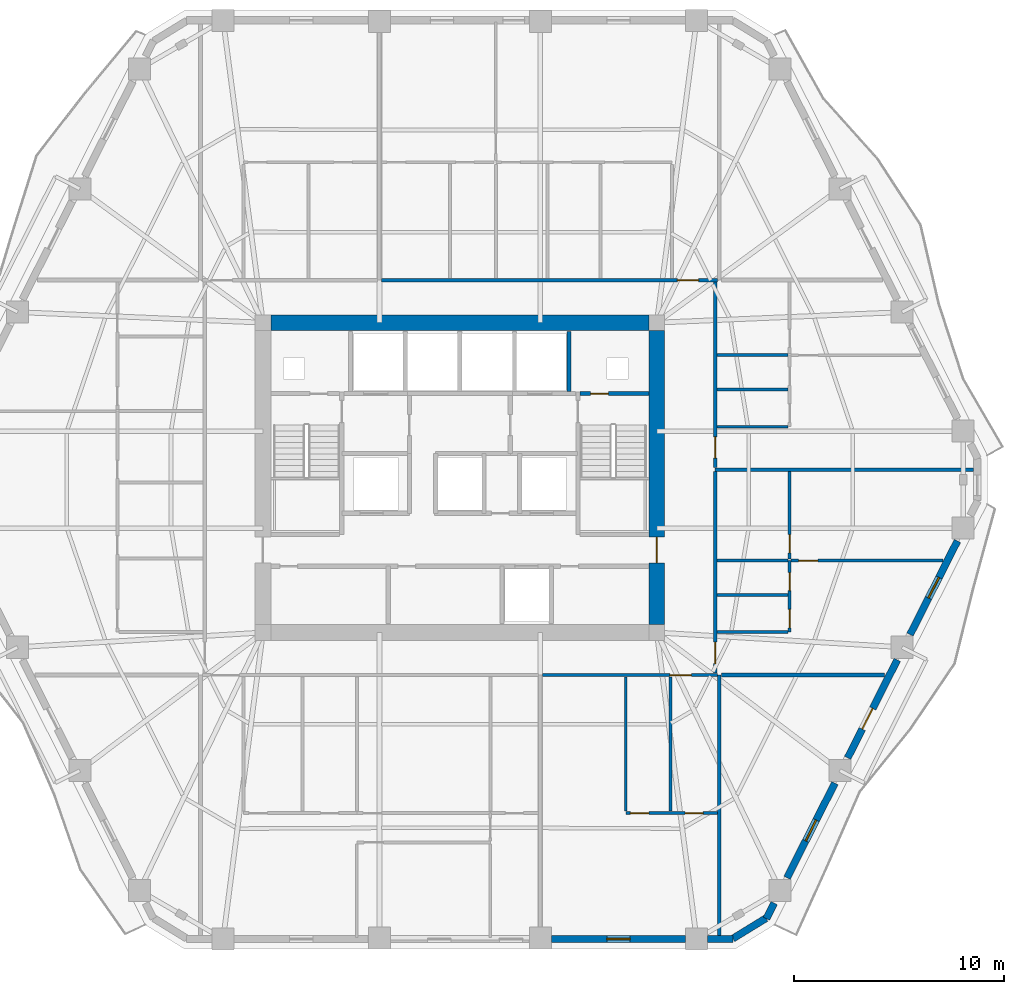
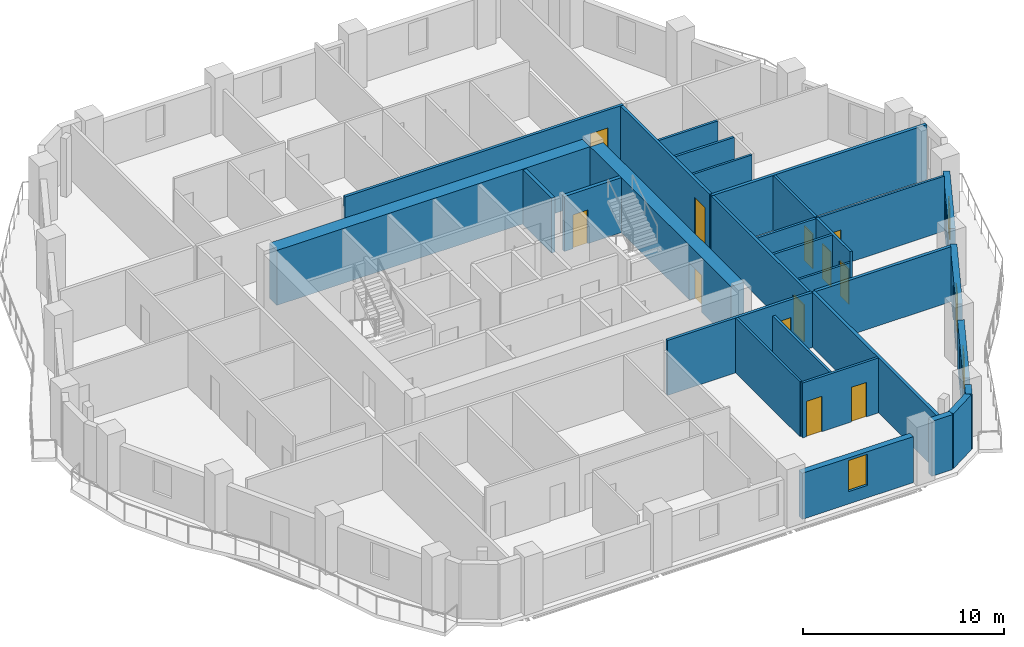
# One storey, part 6 of 11: 30 walls, 13 doors, 3 windows, 16 openings.
"""IFC4 building model written with IfcOpenShell, lengths in metres."""

from ifc_helpers import new_model, si_unit, direction, frame, frame_2d, origin, place, context, subcontext, project, spatial, rectangle, extrude, material, layer, layer_set, type_object, element, fill, save


model = new_model("IFC4")

# Units and contexts
model_context = context("Model", 3, precision=1e-05, world=origin(), true_north=direction((0.0, 1.0)))
body_context = subcontext(model_context, "Body", "Model", "MODEL_VIEW")
ifc_project = project(units=[si_unit("LENGTHUNIT", "METRE"), si_unit("AREAUNIT", "SQUARE_METRE"), si_unit("VOLUMEUNIT", "CUBIC_METRE"), si_unit("PLANEANGLEUNIT", "RADIAN"), si_unit("MASSUNIT", "GRAM", prefix="KILO")], contexts=[model_context])

# Site, building, storey
site_placement = place(None, origin())
site = spatial("IfcSite", under=ifc_project, at=site_placement, CompositionType="ELEMENT")
building_placement = place(site_placement, origin())
building = spatial("IfcBuilding", under=site, at=building_placement, Name="Cinnabar Lancet Tower", CompositionType="ELEMENT")
storey_placement = place(building_placement, frame((0.0, 0.0, 105.5)))
storey = spatial("IfcBuildingStorey", under=building, at=storey_placement, Name="L27", CompositionType="ELEMENT", Elevation=105.5)

# Wall, opening, door
ifc_material_1 = material(Name="Acoustic twin-stud gypsum partition", Category="gypsum")
ifc_layer_1 = layer(ifc_material_1, 0.159912109375)
ifc_layer_set_1 = layer_set([ifc_layer_1], Name="Acoustic twin-stud gypsum partition")
wall_type_1 = type_object("IfcWallType", Name="ARC-WL-CORR-160", PredefinedType="PARTITIONING", material=ifc_layer_set_1)
wall_1_placement = place(storey_placement, frame((36.326904296875, 16.5, 0.0), z_axis=(0.0, 0.0, 1.0), x_axis=(1.0, 0.0, 0.0)))
wall_1 = element("IfcWall", 1, at=wall_1_placement, inside=storey, type_object=wall_type_1, Name="L27 Unit S02 Corridor Wall", PredefinedType="PARTITIONING", context=body_context, shape_type="SweptSolid", body=[
    extrude(rectangle(XDim=8.328125, YDim=0.159912109375, at=frame_2d((4.1640625, 0.0))), origin(), (0.0, 0.0, 1.0), 3.340087890625),
])
opening_1_placement = place(wall_1_placement, frame((6.072998046875, 0.0, 0.0)))
opening_1 = element("IfcOpeningElement", 2, at=opening_1_placement, cuts=wall_1, Name="Opening UD-01", PredefinedType="OPENING", context=body_context, shape_type="SweptSolid", body=[
    extrude(rectangle(XDim=1.02001953125, YDim=2.25, at=frame_2d((0.510009765625, 1.125))), frame((0.0, 0.08984375, 0.0), z_axis=(0.0, -1.0, 0.0), x_axis=(1.0, 0.0, 0.0)), (0.0, 0.0, 1.0), 0.179931640625),
])
ifc_material_2 = material(Name="Solid timber fire-rated apartment entrance door", Category="wood")
door_type_1 = type_object("IfcDoorType", Name="ARC-DR-UNIT", OperationType="NOTDEFINED", PredefinedType="DOOR", material=ifc_material_2)
door_1_placement = place(opening_1_placement, origin())
door_1 = element("IfcDoor", 3, at=door_1_placement, inside=storey, type_object=door_type_1, Name="DR-L27-S02-ENT", OperationType="SINGLE_SWING_RIGHT", OverallHeight=2.25, OverallWidth=1.02001953125, PredefinedType="DOOR", context=body_context, shape_type="SweptSolid", body=[
    extrude(rectangle(XDim=1.02001953125, YDim=2.25, at=frame_2d((0.510009765625, 1.125))), frame((0.0, 0.02490234375, 0.0), z_axis=(0.0, -1.0, 0.0), x_axis=(1.0, 0.0, 0.0)), (0.0, 0.0, 1.0), 0.050048828125),
])
fill(opening_1, door_1)

wall_2_placement = place(storey_placement, frame((28.6630859375, 35.300048828125, 0.0), z_axis=(0.0, 0.0, 1.0), x_axis=(1.0, 0.0, 0.0)))
wall_2 = element("IfcWall", 4, at=wall_2_placement, inside=storey, type_object=wall_type_1, Name="L27 Unit N02 Corridor Wall", PredefinedType="PARTITIONING", context=body_context, shape_type="SweptSolid", body=[
    extrude(rectangle(XDim=15.991943359375, YDim=0.159912109375, at=frame_2d((7.99609375, 0.0))), origin(), (0.0, 0.0, 1.0), 3.340087890625),
])
opening_2_placement = place(wall_2_placement, frame((14.0869140625, 0.0, 0.0)))
opening_2 = element("IfcOpeningElement", 5, at=opening_2_placement, cuts=wall_2, Name="Opening UD-01", PredefinedType="OPENING", context=body_context, shape_type="SweptSolid", body=[
    extrude(rectangle(XDim=1.02001953125, YDim=2.25, at=frame_2d((0.510009765625, 1.125))), frame((0.0, 0.08984375, 0.0), z_axis=(0.0, -1.0, 0.0), x_axis=(1.0, 0.0, 0.0)), (0.0, 0.0, 1.0), 0.179931640625),
])
door_2_placement = place(opening_2_placement, origin())
door_2 = element("IfcDoor", 6, at=door_2_placement, inside=storey, type_object=door_type_1, Name="DR-L27-N02-ENT", OperationType="SINGLE_SWING_LEFT", OverallHeight=2.25, OverallWidth=1.02001953125, PredefinedType="DOOR", context=body_context, shape_type="SweptSolid", body=[
    extrude(rectangle(XDim=1.02001953125, YDim=2.25, at=frame_2d((0.510009765625, 1.125))), frame((0.0, 0.02490234375, 0.0), z_axis=(0.0, -1.0, 0.0), x_axis=(1.0, 0.0, 0.0)), (0.0, 0.0, 1.0), 0.050048828125),
])
fill(opening_2, door_2)

wall_3_placement = place(storey_placement, frame((44.550048828125, 16.594970703125, 0.0), z_axis=(0.0, 0.0, 1.0), x_axis=(0.0, 1.0, 0.0)))
wall_3 = element("IfcWall", 7, at=wall_3_placement, inside=storey, type_object=wall_type_1, Name="UW-L27-E01-COR", PredefinedType="PARTITIONING", context=body_context, shape_type="SweptSolid", body=[
    extrude(rectangle(XDim=9.5859375, YDim=0.159912109375, at=frame_2d((4.79296875, 0.0))), origin(), (0.0, 0.0, 1.0), 3.340087890625),
])
opening_3_placement = place(wall_3_placement, frame((0.449951171875, 0.0, 0.0)))
opening_3 = element("IfcOpeningElement", 8, at=opening_3_placement, cuts=wall_3, Name="Opening UD-01", PredefinedType="OPENING", context=body_context, shape_type="SweptSolid", body=[
    extrude(rectangle(XDim=1.02001953125, YDim=2.25, at=frame_2d((0.510009765625, 1.125))), frame((0.0, 0.08984375, 0.0), z_axis=(0.0, -1.0, 0.0), x_axis=(1.0, 0.0, 0.0)), (0.0, 0.0, 1.0), 0.179931640625),
])
door_3_placement = place(opening_3_placement, origin())
door_3 = element("IfcDoor", 9, at=door_3_placement, inside=storey, type_object=door_type_1, Name="DR-L27-E01-ENT", OperationType="SINGLE_SWING_RIGHT", OverallHeight=2.25, OverallWidth=1.02001953125, PredefinedType="DOOR", context=body_context, shape_type="SweptSolid", body=[
    extrude(rectangle(XDim=1.02001953125, YDim=2.25, at=frame_2d((0.510009765625, 1.125))), frame((0.0, 0.02490234375, 0.0), z_axis=(0.0, -1.0, 0.0), x_axis=(1.0, 0.0, 0.0)), (0.0, 0.0, 1.0), 0.050048828125),
])
fill(opening_3, door_3)

wall_4_placement = place(storey_placement, frame((44.550048828125, 26.37109375, 0.0), z_axis=(0.0, 0.0, 1.0), x_axis=(0.0, 1.0, 0.0)))
wall_4 = element("IfcWall", 10, at=wall_4_placement, inside=storey, type_object=wall_type_1, Name="UW-L27-E02-COR", PredefinedType="PARTITIONING", context=body_context, shape_type="SweptSolid", body=[
    extrude(rectangle(XDim=8.833984375, YDim=0.159912109375, at=frame_2d((4.4169921875, 0.0))), origin(), (0.0, 0.0, 1.0), 3.340087890625),
])
opening_4_placement = place(wall_4_placement, frame((0.449951171875, 0.0, 0.0)))
opening_4 = element("IfcOpeningElement", 11, at=opening_4_placement, cuts=wall_4, Name="Opening UD-01", PredefinedType="OPENING", context=body_context, shape_type="SweptSolid", body=[
    extrude(rectangle(XDim=1.02001953125, YDim=2.25, at=frame_2d((0.510009765625, 1.125))), frame((0.0, 0.08984375, 0.0), z_axis=(0.0, -1.0, 0.0), x_axis=(1.0, 0.0, 0.0)), (0.0, 0.0, 1.0), 0.179931640625),
])
door_4_placement = place(opening_4_placement, origin())
door_4 = element("IfcDoor", 12, at=door_4_placement, inside=storey, type_object=door_type_1, Name="DR-L27-E02-ENT", OperationType="SINGLE_SWING_LEFT", OverallHeight=2.25, OverallWidth=1.02001953125, PredefinedType="DOOR", context=body_context, shape_type="SweptSolid", body=[
    extrude(rectangle(XDim=1.02001953125, YDim=2.25, at=frame_2d((0.510009765625, 1.125))), frame((0.0, 0.02490234375, 0.0), z_axis=(0.0, -1.0, 0.0), x_axis=(1.0, 0.0, 0.0)), (0.0, 0.0, 1.0), 0.050048828125),
])
fill(opening_4, door_4)

# Walls
ifc_material_3 = material(Name="Fire-rated twin-frame acoustic drywall", Category="gypsum")
ifc_layer_2 = layer(ifc_material_3, 0.179931640625)
ifc_layer_set_2 = layer_set([ifc_layer_2], Name="Fire-rated twin-frame acoustic drywall")
wall_type_2 = type_object("IfcWallType", Name="ARC-WL-PARTY-180", PredefinedType="PARTITIONING", material=ifc_layer_set_2)
wall_5_placement = place(storey_placement, frame((44.75, 4.10498046875, 0.0), z_axis=(0.0, 0.0, 1.0), x_axis=(0.0, 1.0, 0.0)))
element("IfcWall", 13, at=wall_5_placement, inside=storey, type_object=wall_type_2, Name="PW-L27-SPTY-448", PredefinedType="PARTITIONING", context=body_context, shape_type="SweptSolid", body=[
    extrude(rectangle(XDim=12.39501953125, YDim=0.179931640625, at=frame_2d((6.197509765625, 0.0))), origin(), (0.0, 0.0, 1.0), 3.340087890625),
])
wall_6_placement = place(storey_placement, frame((44.844970703125, 16.5, 0.0), z_axis=(0.0, 0.0, 1.0), x_axis=(1.0, 0.0, 0.0)))
element("IfcWall", 14, at=wall_6_placement, inside=storey, type_object=wall_type_2, Name="PW-L27-ESB", PredefinedType="PARTITIONING", context=body_context, shape_type="SweptSolid", body=[
    extrude(rectangle(XDim=7.77001953125, YDim=0.179931640625, at=frame_2d((3.885009765625, 0.0))), origin(), (0.0, 0.0, 1.0), 3.340087890625),
])
wall_7_placement = place(storey_placement, frame((44.550048828125, 26.27587890625, 0.0), z_axis=(0.0, 0.0, 1.0), x_axis=(1.0, 0.0, 0.0)))
element("IfcWall", 15, at=wall_7_placement, inside=storey, type_object=wall_type_2, Name="PW-L27-EPTY-1", PredefinedType="PARTITIONING", context=body_context, shape_type="SweptSolid", body=[
    extrude(rectangle(XDim=12.307861328125, YDim=0.179931640625, at=frame_2d((6.15380859375, 0.0))), origin(), (0.0, 0.0, 1.0), 3.340087890625),
])

# Wall, opening, door
ifc_material_4 = material(Name="Autoclaved aerated concrete blockwork", Category="masonry")
ifc_layer_3 = layer(ifc_material_4, 0.199951171875)
ifc_layer_set_3 = layer_set([ifc_layer_3], Name="Autoclaved aerated concrete blockwork")
wall_type_3 = type_object("IfcWallType", Name="ARC-WL-SHAFT-200", PredefinedType="PLUMBINGWALL", material=ifc_layer_set_3)
wall_8_placement = place(storey_placement, frame((38.125, 29.89990234375, 0.0), z_axis=(0.0, 0.0, 1.0), x_axis=(1.0, 0.0, 0.0)))
wall_8 = element("IfcWall", 16, at=wall_8_placement, inside=storey, type_object=wall_type_3, Name="CW-NSH-E-L27", PredefinedType="PLUMBINGWALL", context=body_context, shape_type="SweptSolid", body=[
    extrude(rectangle(XDim=3.27001953125, YDim=0.199951171875, at=frame_2d((1.635009765625, 0.0))), origin(), (0.0, 0.0, 1.0), 3.340087890625),
])
opening_5_placement = place(wall_8_placement, frame((0.5, 0.0, 0.0)))
opening_5 = element("IfcOpeningElement", 17, at=opening_5_placement, cuts=wall_8, Name="Opening PD-02", PredefinedType="OPENING", context=body_context, shape_type="SweptSolid", body=[
    extrude(rectangle(XDim=0.85009765625, YDim=2.050048828125, at=frame_2d((0.425048828125, 1.02490234375))), frame((0.0, 0.10986328125, 0.0), z_axis=(0.0, -1.0, 0.0), x_axis=(1.0, 0.0, 0.0)), (0.0, 0.0, 1.0), 0.219970703125),
])
ifc_material_5 = material(Name="Fire-rated steel riser access door", Category="steel")
door_type_2 = type_object("IfcDoorType", Name="ARC-DR-RISER", OperationType="NOTDEFINED", PredefinedType="DOOR", material=ifc_material_5)
door_5_placement = place(opening_5_placement, origin())
door_5 = element("IfcDoor", 18, at=door_5_placement, inside=storey, type_object=door_type_2, Name="L27 East Riser Access Door", OperationType="SINGLE_SWING_RIGHT", OverallHeight=2.050048828125, OverallWidth=0.85009765625, PredefinedType="DOOR", context=body_context, shape_type="SweptSolid", body=[
    extrude(rectangle(XDim=0.85009765625, YDim=2.050048828125, at=frame_2d((0.425048828125, 1.02490234375))), frame((0.0, 0.02490234375, 0.0), z_axis=(0.0, -1.0, 0.0), x_axis=(1.0, 0.0, 0.0)), (0.0, 0.0, 1.0), 0.050048828125),
])
fill(opening_5, door_5)

# Walls
wall_9_placement = place(storey_placement, frame((37.60009765625, 30.0, 0.0), z_axis=(0.0, 0.0, 1.0), x_axis=(0.0, 1.0, 0.0)))
element("IfcWall", 19, at=wall_9_placement, inside=storey, type_object=wall_type_3, Name="CW-NSH-D5-L27", PredefinedType="PLUMBINGWALL", context=body_context, shape_type="SweptSolid", body=[
    extrude(rectangle(XDim=2.85009765625, YDim=0.199951171875, at=frame_2d((1.425048828125, 0.0))), origin(), (0.0, 0.0, 1.0), 3.340087890625),
])
ifc_material_6 = material(Name="Gypsum plasterboard stud partition", Category="gypsum")
ifc_layer_4 = layer(ifc_material_6, 0.125)
ifc_layer_set_4 = layer_set([ifc_layer_4], Name="Gypsum plasterboard stud partition")
wall_type_4 = type_object("IfcWallType", Name="ARC-WL-UNIT-125", PredefinedType="PARTITIONING", material=ifc_layer_set_4)
wall_10_placement = place(storey_placement, frame((40.300048828125, 10.035888671875, 0.0), z_axis=(0.0, 0.0, 1.0), x_axis=(0.0, 1.0, 0.0)))
element("IfcWall", 20, at=wall_10_placement, inside=storey, type_object=wall_type_4, Name="UW-L27-S02-FOYE", PredefinedType="PARTITIONING", context=body_context, shape_type="SweptSolid", body=[
    extrude(rectangle(XDim=6.379150390625, YDim=0.125, at=frame_2d((3.189453125, 0.0))), origin(), (0.0, 0.0, 1.0), 3.340087890625),
])
wall_11_placement = place(storey_placement, frame((44.635009765625, 18.550048828125, 0.0), z_axis=(0.0, 0.0, 1.0), x_axis=(1.0, 0.0, 0.0)))
element("IfcWall", 21, at=wall_11_placement, inside=storey, type_object=wall_type_4, Name="UW-L27-E01-FOYN", PredefinedType="PARTITIONING", context=body_context, shape_type="SweptSolid", body=[
    extrude(rectangle(XDim=3.3798828125, YDim=0.125, at=frame_2d((1.68994140625, 0.0))), origin(), (0.0, 0.0, 1.0), 2.721923828125),
])

# Wall, opening, door
wall_12_placement = place(storey_placement, frame((48.175048828125, 21.949951171875, 0.0), z_axis=(0.0, 0.0, 1.0), x_axis=(1.0, 0.0, 0.0)))
wall_12 = element("IfcWall", 22, at=wall_12_placement, inside=storey, type_object=wall_type_4, Name="UW-L27-E01-MBN", PredefinedType="PARTITIONING", context=body_context, shape_type="SweptSolid", body=[
    extrude(rectangle(XDim=7.212890625, YDim=0.125, at=frame_2d((3.6064453125, 0.0))), origin(), (0.0, 0.0, 1.0), 3.340087890625),
])
opening_6_placement = place(wall_12_placement, frame((0.35009765625, 0.0, 0.0)))
opening_6 = element("IfcOpeningElement", 23, at=opening_6_placement, cuts=wall_12, Name="Opening RD-01", PredefinedType="OPENING", context=body_context, shape_type="SweptSolid", body=[
    extrude(rectangle(XDim=0.919921875, YDim=2.14990234375, at=frame_2d((0.4599609375, 1.074951171875))), frame((0.0, 0.072509765625, 0.0), z_axis=(0.0, -1.0, 0.0), x_axis=(1.0, 0.0, 0.0)), (0.0, 0.0, 1.0), 0.14501953125),
])
ifc_material_7 = material(Name="Engineered timber bedroom door", Category="wood")
door_type_3 = type_object("IfcDoorType", Name="ARC-DR-ROOM", OperationType="NOTDEFINED", PredefinedType="DOOR", material=ifc_material_7)
door_6_placement = place(opening_6_placement, origin())
door_6 = element("IfcDoor", 24, at=door_6_placement, inside=storey, type_object=door_type_3, Name="DR-L27-E01-MBD", OperationType="SINGLE_SWING_RIGHT", OverallHeight=2.14990234375, OverallWidth=0.919921875, PredefinedType="DOOR", context=body_context, shape_type="SweptSolid", body=[
    extrude(rectangle(XDim=0.919921875, YDim=2.14990234375, at=frame_2d((0.4599609375, 1.074951171875))), frame((0.0, 0.02490234375, 0.0), z_axis=(0.0, -1.0, 0.0), x_axis=(1.0, 0.0, 0.0)), (0.0, 0.0, 1.0), 0.050048828125),
])
fill(opening_6, door_6)

# Wall
wall_13_placement = place(storey_placement, frame((44.635009765625, 28.325927734375, 0.0), z_axis=(0.0, 0.0, 1.0), x_axis=(1.0, 0.0, 0.0)))
element("IfcWall", 25, at=wall_13_placement, inside=storey, type_object=wall_type_4, Name="UW-L27-E02-FOYN", PredefinedType="PARTITIONING", context=body_context, shape_type="SweptSolid", body=[
    extrude(rectangle(XDim=3.3798828125, YDim=0.125, at=frame_2d((1.68994140625, 0.0))), origin(), (0.0, 0.0, 1.0), 3.340087890625),
])

# Wall, openings, doors
ifc_material_8 = material(Name="Moisture-resistant cement-board plumbing wall", Category="masonry")
ifc_layer_5 = layer(ifc_material_8, 0.139892578125)
ifc_layer_set_5 = layer_set([ifc_layer_5], Name="Moisture-resistant cement-board plumbing wall")
wall_type_5 = type_object("IfcWallType", Name="ARC-WL-WET-140", PredefinedType="PLUMBINGWALL", material=ifc_layer_set_5)
wall_14_placement = place(storey_placement, frame((40.300048828125, 9.930908203125, 0.0), z_axis=(0.0, 0.0, 1.0), x_axis=(1.0, 0.0, 0.0)))
wall_14 = element("IfcWall", 26, at=wall_14_placement, inside=storey, type_object=wall_type_5, Name="UW-L27-S02-SPL", PredefinedType="PLUMBINGWALL", context=body_context, shape_type="SweptSolid", body=[
    extrude(rectangle(XDim=4.35498046875, YDim=0.139892578125, at=frame_2d((2.177490234375, 0.0))), origin(), (0.0, 0.0, 1.0), 3.340087890625),
])
opening_7_placement = place(wall_14_placement, frame((2.821044921875, 0.0, 0.0)))
opening_7 = element("IfcOpeningElement", 27, at=opening_7_placement, cuts=wall_14, Name="Opening BD-01", PredefinedType="OPENING", context=body_context, shape_type="SweptSolid", body=[
    extrude(rectangle(XDim=0.860107421875, YDim=2.10009765625, at=frame_2d((0.43017578125, 1.050048828125))), frame((0.0, 0.079833984375, 0.0), z_axis=(0.0, -1.0, 0.0), x_axis=(1.0, 0.0, 0.0)), (0.0, 0.0, 1.0), 0.159912109375),
])
opening_8_placement = place(wall_14_placement, frame((0.219970703125, 0.0, 0.0)))
opening_8 = element("IfcOpeningElement", 28, at=opening_8_placement, cuts=wall_14, Name="Opening RD-02", PredefinedType="OPENING", context=body_context, shape_type="SweptSolid", body=[
    extrude(rectangle(XDim=0.8798828125, YDim=2.14990234375, at=frame_2d((0.43994140625, 1.074951171875))), frame((0.0, 0.079833984375, 0.0), z_axis=(0.0, -1.0, 0.0), x_axis=(1.0, 0.0, 0.0)), (0.0, 0.0, 1.0), 0.159912109375),
])
ifc_material_9 = material(Name="Moisture-resistant timber bathroom door", Category="wood")
door_type_4 = type_object("IfcDoorType", Name="ARC-DR-BATH", OperationType="NOTDEFINED", PredefinedType="DOOR", material=ifc_material_9)
door_7_placement = place(opening_7_placement, origin())
door_7 = element("IfcDoor", 29, at=door_7_placement, inside=storey, type_object=door_type_4, Name="DR-L27-S02-BTH", OperationType="SINGLE_SWING_RIGHT", OverallHeight=2.10009765625, OverallWidth=0.860107421875, PredefinedType="DOOR", context=body_context, shape_type="SweptSolid", body=[
    extrude(rectangle(XDim=0.860107421875, YDim=2.10009765625, at=frame_2d((0.43017578125, 1.050048828125))), frame((0.0, 0.02490234375, 0.0), z_axis=(0.0, -1.0, 0.0), x_axis=(1.0, 0.0, 0.0)), (0.0, 0.0, 1.0), 0.050048828125),
])
fill(opening_7, door_7)
ifc_material_10 = material(Name="Engineered timber study door", Category="wood")
door_type_5 = type_object("IfcDoorType", Name="ARC-DR-STUDY", OperationType="NOTDEFINED", PredefinedType="DOOR", material=ifc_material_10)
door_8_placement = place(opening_8_placement, origin())
door_8 = element("IfcDoor", 30, at=door_8_placement, inside=storey, type_object=door_type_5, Name="DR-L27-S02-KIT", OperationType="SINGLE_SWING_LEFT", OverallHeight=2.14990234375, OverallWidth=0.8798828125, PredefinedType="DOOR", context=body_context, shape_type="SweptSolid", body=[
    extrude(rectangle(XDim=0.8798828125, YDim=2.14990234375, at=frame_2d((0.43994140625, 1.074951171875))), frame((0.0, 0.02490234375, 0.0), z_axis=(0.0, -1.0, 0.0), x_axis=(1.0, 0.0, 0.0)), (0.0, 0.0, 1.0), 0.050048828125),
])
fill(opening_8, door_8)

# Wall
wall_15_placement = place(storey_placement, frame((42.43603515625, 10.035888671875, 0.0), z_axis=(0.0, 0.0, 1.0), x_axis=(0.0, 1.0, 0.0)))
element("IfcWall", 31, at=wall_15_placement, inside=storey, type_object=wall_type_5, Name="UW-L27-S02-KDV", PredefinedType="PLUMBINGWALL", context=body_context, shape_type="SweptSolid", body=[
    extrude(rectangle(XDim=6.379150390625, YDim=0.139892578125, at=frame_2d((3.189453125, 0.0))), origin(), (0.0, 0.0, 1.0), 2.721923828125),
])

# Wall, openings, doors
wall_16_placement = place(storey_placement, frame((48.10009765625, 18.550048828125, 0.0), z_axis=(0.0, 0.0, 1.0), x_axis=(0.0, 1.0, 0.0)))
wall_16 = element("IfcWall", 32, at=wall_16_placement, inside=storey, type_object=wall_type_5, Name="UW-L27-E01-SPL", PredefinedType="PLUMBINGWALL", context=body_context, shape_type="SweptSolid", body=[
    extrude(rectangle(XDim=3.39990234375, YDim=0.139892578125, at=frame_2d((1.699951171875, 0.0))), origin(), (0.0, 0.0, 1.0), 3.340087890625),
])
opening_9_placement = place(wall_16_placement, frame((0.199951171875, 0.0, 0.0)))
opening_9 = element("IfcOpeningElement", 33, at=opening_9_placement, cuts=wall_16, Name="Opening RD-02", PredefinedType="OPENING", context=body_context, shape_type="SweptSolid", body=[
    extrude(rectangle(XDim=0.8798828125, YDim=2.14990234375, at=frame_2d((0.43994140625, 1.074951171875))), frame((0.0, 0.079833984375, 0.0), z_axis=(0.0, -1.0, 0.0), x_axis=(1.0, 0.0, 0.0)), (0.0, 0.0, 1.0), 0.159912109375),
])
opening_10_placement = place(wall_16_placement, frame((1.968017578125, 0.0, 0.0)))
opening_10 = element("IfcOpeningElement", 34, at=opening_10_placement, cuts=wall_16, Name="Opening BD-01", PredefinedType="OPENING", context=body_context, shape_type="SweptSolid", body=[
    extrude(rectangle(XDim=0.860107421875, YDim=2.10009765625, at=frame_2d((0.43017578125, 1.050048828125))), frame((0.0, 0.079833984375, 0.0), z_axis=(0.0, -1.0, 0.0), x_axis=(1.0, 0.0, 0.0)), (0.0, 0.0, 1.0), 0.159912109375),
])
door_9_placement = place(opening_10_placement, origin())
door_9 = element("IfcDoor", 35, at=door_9_placement, inside=storey, type_object=door_type_4, Name="DR-L27-E01-BTH", OperationType="SINGLE_SWING_RIGHT", OverallHeight=2.10009765625, OverallWidth=0.860107421875, PredefinedType="DOOR", context=body_context, shape_type="SweptSolid", body=[
    extrude(rectangle(XDim=0.860107421875, YDim=2.10009765625, at=frame_2d((0.43017578125, 1.050048828125))), frame((0.0, 0.02490234375, 0.0), z_axis=(0.0, -1.0, 0.0), x_axis=(1.0, 0.0, 0.0)), (0.0, 0.0, 1.0), 0.050048828125),
])
fill(opening_10, door_9)
door_10_placement = place(opening_9_placement, origin())
door_10 = element("IfcDoor", 36, at=door_10_placement, inside=storey, type_object=door_type_5, Name="DR-L27-E01-KIT", OperationType="SINGLE_SWING_LEFT", OverallHeight=2.14990234375, OverallWidth=0.8798828125, PredefinedType="DOOR", context=body_context, shape_type="SweptSolid", body=[
    extrude(rectangle(XDim=0.8798828125, YDim=2.14990234375, at=frame_2d((0.43994140625, 1.074951171875))), frame((0.0, 0.02490234375, 0.0), z_axis=(0.0, -1.0, 0.0), x_axis=(1.0, 0.0, 0.0)), (0.0, 0.0, 1.0), 0.050048828125),
])
fill(opening_9, door_10)

# Wall, opening, door
wall_17_placement = place(storey_placement, frame((48.10009765625, 22.02001953125, 0.0), z_axis=(0.0, 0.0, 1.0), x_axis=(0.0, 1.0, 0.0)))
wall_17 = element("IfcWall", 37, at=wall_17_placement, inside=storey, type_object=wall_type_5, Name="UW-L27-E01-SPM", PredefinedType="PLUMBINGWALL", context=body_context, shape_type="SweptSolid", body=[
    extrude(rectangle(XDim=4.160888671875, YDim=0.139892578125, at=frame_2d((2.08056640625, 0.0))), origin(), (0.0, 0.0, 1.0), 3.340087890625),
])
opening_11_placement = place(wall_17_placement, frame((0.300048828125, 0.0, 0.0)))
opening_11 = element("IfcOpeningElement", 38, at=opening_11_placement, cuts=wall_17, Name="Opening BD-01", PredefinedType="OPENING", context=body_context, shape_type="SweptSolid", body=[
    extrude(rectangle(XDim=0.860107421875, YDim=2.10009765625, at=frame_2d((0.43017578125, 1.050048828125))), frame((0.0, 0.079833984375, 0.0), z_axis=(0.0, -1.0, 0.0), x_axis=(1.0, 0.0, 0.0)), (0.0, 0.0, 1.0), 0.159912109375),
])
door_11_placement = place(opening_11_placement, origin())
door_11 = element("IfcDoor", 39, at=door_11_placement, inside=storey, type_object=door_type_4, Name="DR-L27-E01-ENS", OperationType="SINGLE_SWING_RIGHT", OverallHeight=2.10009765625, OverallWidth=0.860107421875, PredefinedType="DOOR", context=body_context, shape_type="SweptSolid", body=[
    extrude(rectangle(XDim=0.860107421875, YDim=2.10009765625, at=frame_2d((0.43017578125, 1.050048828125))), frame((0.0, 0.02490234375, 0.0), z_axis=(0.0, -1.0, 0.0), x_axis=(1.0, 0.0, 0.0)), (0.0, 0.0, 1.0), 0.050048828125),
])
fill(opening_11, door_11)

# Walls
for number, where, z_axis, x_axis, name in (
    (40, (44.635009765625, 21.949951171875, 0.0), (0.0, 0.0, 1.0), (1.0, 0.0, 0.0), "UW-L27-E01-ENSN"),
    (41, (44.635009765625, 20.318115234375, 0.0), (0.0, 0.0, 1.0), (1.0, 0.0, 0.0), "UW-L27-E01-KDV"),
    (42, (44.635009765625, 31.72607421875, 0.0), (0.0, 0.0, 1.0), (1.0, 0.0, 0.0), "UW-L27-E02-ENSN"),
    (43, (44.635009765625, 30.093994140625, 0.0), (0.0, 0.0, 1.0), (1.0, 0.0, 0.0), "UW-L27-E02-KDV"),
):
    element("IfcWall", number, at=place(storey_placement, frame(where, z_axis=z_axis, x_axis=x_axis)), inside=storey, type_object=wall_type_5, Name=name, PredefinedType="PLUMBINGWALL", context=body_context, shape_type="SweptSolid", body=[
        extrude(rectangle(XDim=3.3798828125, YDim=0.139892578125, at=frame_2d((1.68994140625, 0.0))), origin(), (0.0, 0.0, 1.0), 3.340087890625),
    ])
ifc_material_11 = material(Name="Cinnabar red clay brick", Category="masonry")
ifc_layer_6 = layer(ifc_material_11, 0.340087890625)
ifc_layer_set_6 = layer_set([ifc_layer_6], Name="Cinnabar red clay brick")
wall_type_6 = type_object("IfcWallType", Name="ENV-WL-BRK-RED-340", PredefinedType="STANDARD", material=ifc_layer_set_6)
wall_18_placement = place(storey_placement, frame((45.39697265625, 3.955078125, 0.0), z_axis=(0.0, 0.0, 1.0), x_axis=(0.851798915137, 0.523868884523, 0.0)))
element("IfcWall", 44, at=wall_18_placement, inside=storey, type_object=wall_type_6, Name="L27 Chamfered Corner Brick Pier 2.1", PredefinedType="STANDARD", context=body_context, shape_type="SweptSolid", body=[
    extrude(rectangle(XDim=1.847900390625, YDim=0.340087890625, at=frame_2d((0.923828125, 0.0))), origin(), (0.0, 0.0, 1.0), 3.340087890625),
])

# Wall, opening, window
wall_19_placement = place(storey_placement, frame((36.760986328125, 3.929931640625, 0.0), z_axis=(0.0, 0.0, 1.0), x_axis=(1.0, 0.0, 0.0)))
wall_19 = element("IfcWall", 45, at=wall_19_placement, inside=storey, type_object=wall_type_6, Name="L27 Face 1 Masonry Bay Wall 4", PredefinedType="STANDARD", context=body_context, shape_type="SweptSolid", body=[
    extrude(rectangle(XDim=6.37890625, YDim=0.340087890625, at=frame_2d((3.189453125, 0.0))), origin(), (0.0, 0.0, 1.0), 2.797119140625),
])
opening_12_placement = place(wall_19_placement, frame((2.638916015625, 0.0, 0.75)))
opening_12 = element("IfcOpeningElement", 46, at=opening_12_placement, cuts=wall_19, Name="Opening WN-04", PredefinedType="OPENING", context=body_context, shape_type="SweptSolid", body=[
    extrude(rectangle(XDim=1.10009765625, YDim=1.89697265625, at=frame_2d((0.550048828125, 0.948486328125))), frame((0.0, 0.179931640625, 0.0), z_axis=(0.0, -1.0, 0.0), x_axis=(1.0, 0.0, 0.0)), (0.0, 0.0, 1.0), 0.360107421875),
])
ifc_material_12 = material(Name="Thermally broken bronze-anodized aluminium tall lancet window", Category="aluminium")
window_type = type_object("IfcWindowType", Name="ENV-WN-LANCET-1100", PartitioningType="SINGLE_PANEL", PredefinedType="WINDOW", material=ifc_material_12)
window_1_placement = place(opening_12_placement, origin())
window_1 = element("IfcWindow", 47, at=window_1_placement, inside=storey, type_object=window_type, Name="L27 Face 1 Gothic Lancet Window 4", OverallHeight=1.89697265625, OverallWidth=1.10009765625, PartitioningType="SINGLE_PANEL", PredefinedType="WINDOW", context=body_context, shape_type="SweptSolid", body=[
    extrude(rectangle(XDim=1.10009765625, YDim=1.89697265625, at=frame_2d((0.550048828125, 0.948486328125))), frame((0.0, 0.030029296875, 0.0), z_axis=(0.0, -1.0, 0.0), x_axis=(1.0, 0.0, 0.0)), (0.0, 0.0, 1.0), 0.06005859375),
])
fill(opening_12, window_1)

# Walls
wall_20_placement = place(storey_placement, frame((44.197998046875, 3.929931640625, 0.0), z_axis=(0.0, 0.0, 1.0), x_axis=(1.0, 0.0, 0.0)))
element("IfcWall", 48, at=wall_20_placement, inside=storey, type_object=wall_type_6, Name="L27 Face 1 Masonry Bay Wall 5", PredefinedType="STANDARD", context=body_context, shape_type="SweptSolid", body=[
    extrude(rectangle(XDim=1.2041015625, YDim=0.340087890625, at=frame_2d((0.60205078125, 0.0))), origin(), (0.0, 0.0, 1.0), 3.340087890625),
])
wall_21_placement = place(storey_placement, frame((46.990966796875, 4.906982421875, 0.0), z_axis=(0.0, 0.0, 1.0), x_axis=(0.45172514337, 0.892157158155, 0.0)))
element("IfcWall", 49, at=wall_21_placement, inside=storey, type_object=wall_type_6, Name="L27 Face 2 Masonry Bay Wall 1", PredefinedType="STANDARD", context=body_context, shape_type="SweptSolid", body=[
    extrude(rectangle(XDim=0.821533203125, YDim=0.340087890625, at=frame_2d((0.41064453125, 0.0))), origin(), (0.0, 0.0, 1.0), 3.340087890625),
])

# Wall, opening, window
wall_22_placement = place(storey_placement, frame((47.97509765625, 6.85205078125, 0.0), z_axis=(0.0, 0.0, 1.0), x_axis=(0.451548465867, 0.892246593142, 0.0)))
wall_22 = element("IfcWall", 50, at=wall_22_placement, inside=storey, type_object=wall_type_6, Name="L27 Face 2 Masonry Bay Wall 2", PredefinedType="STANDARD", context=body_context, shape_type="SweptSolid", body=[
    extrude(rectangle(XDim=5.040283203125, YDim=0.340087890625, at=frame_2d((2.52001953125, 0.0))), origin(), (0.0, 0.0, 1.0), 2.797119140625),
])
opening_13_placement = place(wall_22_placement, frame((1.969970703125, 0.0, 0.75)))
opening_13 = element("IfcOpeningElement", 51, at=opening_13_placement, cuts=wall_22, Name="Opening WN-04", PredefinedType="OPENING", context=body_context, shape_type="SweptSolid", body=[
    extrude(rectangle(XDim=1.10009765625, YDim=1.89697265625, at=frame_2d((0.550048828125, 0.948486328125))), frame((0.0, 0.179931640625, 0.0), z_axis=(0.0, -1.0, 0.0), x_axis=(1.0, 0.0, 0.0)), (0.0, 0.0, 1.0), 0.360107421875),
])
window_2_placement = place(opening_13_placement, origin())
window_2 = element("IfcWindow", 52, at=window_2_placement, inside=storey, type_object=window_type, Name="L27 Face 2 Gothic Lancet Window 2", OverallHeight=1.89697265625, OverallWidth=1.10009765625, PartitioningType="SINGLE_PANEL", PredefinedType="WINDOW", context=body_context, shape_type="SweptSolid", body=[
    extrude(rectangle(XDim=1.10009765625, YDim=1.89697265625, at=frame_2d((0.550048828125, 0.948486328125))), frame((0.0, 0.030029296875, 0.0), z_axis=(0.0, -1.0, 0.0), x_axis=(1.0, 0.0, 0.0)), (0.0, 0.0, 1.0), 0.06005859375),
])
fill(opening_13, window_2)

# Wall, opening, door
wall_23_placement = place(storey_placement, frame((50.863037109375, 12.56103515625, 0.0), z_axis=(0.0, 0.0, 1.0), x_axis=(0.451567731634, 0.892236842855, 0.0)))
wall_23 = element("IfcWall", 53, at=wall_23_placement, inside=storey, type_object=wall_type_6, Name="L27 Face 2 Masonry Bay Wall 3", PredefinedType="STANDARD", context=body_context, shape_type="SweptSolid", body=[
    extrude(rectangle(XDim=5.219482421875, YDim=0.340087890625, at=frame_2d((2.60986328125, 0.0))), origin(), (0.0, 0.0, 1.0), 2.797119140625),
])
opening_14_placement = place(wall_23_placement, frame((1.531982421875, 0.0, 0.0)))
opening_14 = element("IfcOpeningElement", 54, at=opening_14_placement, cuts=wall_23, Name="Opening TD-01", PredefinedType="OPENING", context=body_context, shape_type="SweptSolid", body=[
    extrude(rectangle(XDim=1.10009765625, YDim=2.25, at=frame_2d((0.550048828125, 1.125))), frame((0.0, 0.179931640625, 0.0), z_axis=(0.0, -1.0, 0.0), x_axis=(1.0, 0.0, 0.0)), (0.0, 0.0, 1.0), 0.360107421875),
])
ifc_material_13 = material(Name="Thermally broken low-E glazed balcony terrace door", Category="wood")
door_type_6 = type_object("IfcDoorType", Name="ARC-DR-BALC", OperationType="NOTDEFINED", PredefinedType="DOOR", material=ifc_material_13)
door_12_placement = place(opening_14_placement, origin())
door_12 = element("IfcDoor", 55, at=door_12_placement, inside=storey, type_object=door_type_6, Name="L27 Face 2 Glazed Terrace Door", OperationType="SINGLE_SWING_LEFT", OverallHeight=2.25, OverallWidth=1.10009765625, PredefinedType="DOOR", context=body_context, shape_type="SweptSolid", body=[
    extrude(rectangle(XDim=1.10009765625, YDim=2.25, at=frame_2d((0.550048828125, 1.125))), frame((0.0, 0.02490234375, 0.0), z_axis=(0.0, -1.0, 0.0), x_axis=(1.0, 0.0, 0.0)), (0.0, 0.0, 1.0), 0.050048828125),
])
fill(opening_14, door_12)

# Wall, opening, window
wall_24_placement = place(storey_placement, frame((53.83203125, 18.427978515625, 0.0), z_axis=(0.0, 0.0, 1.0), x_axis=(0.451431617681, 0.892305718102, 0.0)))
wall_24 = element("IfcWall", 56, at=wall_24_placement, inside=storey, type_object=wall_type_6, Name="L27 Face 2 Masonry Bay Wall 4", PredefinedType="STANDARD", context=body_context, shape_type="SweptSolid", body=[
    extrude(rectangle(XDim=4.994873046875, YDim=0.340087890625, at=frame_2d((2.49755859375, 0.0))), origin(), (0.0, 0.0, 1.0), 2.797119140625),
])
opening_15_placement = place(wall_24_placement, frame((1.947021484375, 0.0, 0.75)))
opening_15 = element("IfcOpeningElement", 57, at=opening_15_placement, cuts=wall_24, Name="Opening WN-04", PredefinedType="OPENING", context=body_context, shape_type="SweptSolid", body=[
    extrude(rectangle(XDim=1.10009765625, YDim=1.89697265625, at=frame_2d((0.550048828125, 0.948486328125))), frame((0.0, 0.179931640625, 0.0), z_axis=(0.0, -1.0, 0.0), x_axis=(1.0, 0.0, 0.0)), (0.0, 0.0, 1.0), 0.360107421875),
])
window_3_placement = place(opening_15_placement, origin())
window_3 = element("IfcWindow", 58, at=window_3_placement, inside=storey, type_object=window_type, Name="L27 Face 2 Gothic Lancet Window 4", OverallHeight=1.89697265625, OverallWidth=1.10009765625, PartitioningType="SINGLE_PANEL", PredefinedType="WINDOW", context=body_context, shape_type="SweptSolid", body=[
    extrude(rectangle(XDim=1.10009765625, YDim=1.89697265625, at=frame_2d((0.550048828125, 0.948486328125))), frame((0.0, 0.030029296875, 0.0), z_axis=(0.0, -1.0, 0.0), x_axis=(1.0, 0.0, 0.0)), (0.0, 0.0, 1.0), 0.06005859375),
])
fill(opening_15, window_3)

# Wall
ifc_material_14 = material(Name="Concrete C70/85", Category="concrete")
ifc_layer_7 = layer(ifc_material_14, 0.75)
ifc_layer_set_7 = layer_set([ifc_layer_7], Name="Concrete C70/85")
wall_type_7 = type_object("IfcWallType", Name="STR-WL-CORE-750", PredefinedType="SHEAR", material=ifc_layer_set_7)
wall_25_placement = place(storey_placement, frame((23.39990234375, 33.27490234375, 0.0), z_axis=(0.0, 0.0, 1.0), x_axis=(1.0, 0.0, 0.0)))
element("IfcWall", 59, at=wall_25_placement, inside=storey, type_object=wall_type_7, Name="L27 Core Shear Wall N", PredefinedType="SHEAR", context=body_context, shape_type="SweptSolid", body=[
    extrude(rectangle(XDim=18.0, YDim=0.75, at=frame_2d((9.0, 0.0))), origin(), (0.0, 0.0, 1.0), 3.340087890625),
])

# Wall, opening, door
wall_26_placement = place(storey_placement, frame((41.77490234375, 18.89990234375, 0.0), z_axis=(0.0, 0.0, 1.0), x_axis=(0.0, 1.0, 0.0)))
wall_26 = element("IfcWall", 60, at=wall_26_placement, inside=storey, type_object=wall_type_7, Name="L27 Core Shear Wall E", PredefinedType="SHEAR", context=body_context, shape_type="SweptSolid", body=[
    extrude(rectangle(XDim=14.0, YDim=0.75, at=frame_2d((7.0, 0.0))), origin(), (0.0, 0.0, 1.0), 3.340087890625),
])
opening_16_placement = place(wall_26_placement, frame((2.93994140625, 0.0, 0.0)))
opening_16 = element("IfcOpeningElement", 61, at=opening_16_placement, cuts=wall_26, Name="Opening FD-02", PredefinedType="OPENING", context=body_context, shape_type="SweptSolid", body=[
    extrude(rectangle(XDim=1.219970703125, YDim=2.25, at=frame_2d((0.60986328125, 1.125))), frame((0.0, 0.385009765625, 0.0), z_axis=(0.0, -1.0, 0.0), x_axis=(1.0, 0.0, 0.0)), (0.0, 0.0, 1.0), 0.77001953125),
])
ifc_material_15 = material(Name="Fire-rated double-vision core portal door", Category="wood")
door_type_7 = type_object("IfcDoorType", Name="ARC-DR-CPORT", OperationType="NOTDEFINED", PredefinedType="DOOR", material=ifc_material_15)
door_13_placement = place(opening_16_placement, origin())
door_13 = element("IfcDoor", 62, at=door_13_placement, inside=storey, type_object=door_type_7, Name="L27 East Core Lobby Fire Door", OperationType="SINGLE_SWING_LEFT", OverallHeight=2.25, OverallWidth=1.219970703125, PredefinedType="DOOR", context=body_context, shape_type="SweptSolid", body=[
    extrude(rectangle(XDim=1.219970703125, YDim=2.25, at=frame_2d((0.60986328125, 1.125))), frame((0.0, 0.02490234375, 0.0), z_axis=(0.0, -1.0, 0.0), x_axis=(1.0, 0.0, 0.0)), (0.0, 0.0, 1.0), 0.050048828125),
])
fill(opening_16, door_13)

save(model, "model.ifc")
